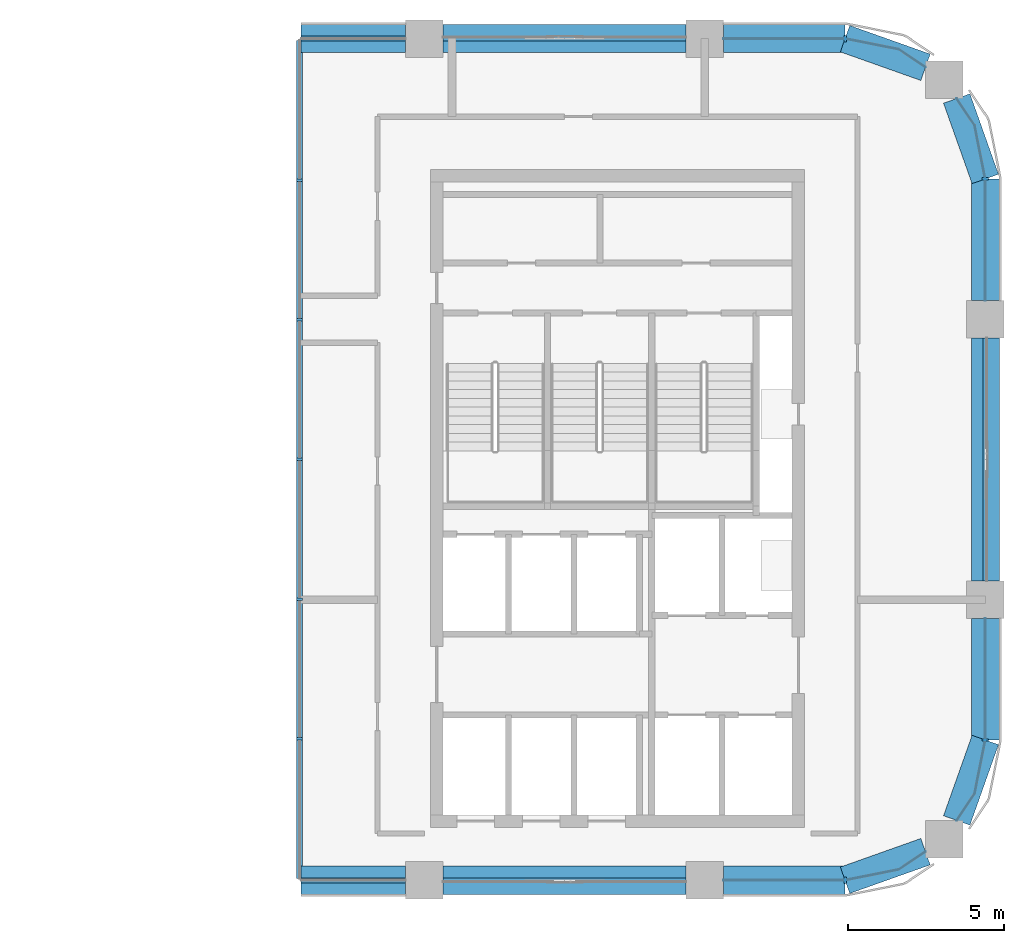
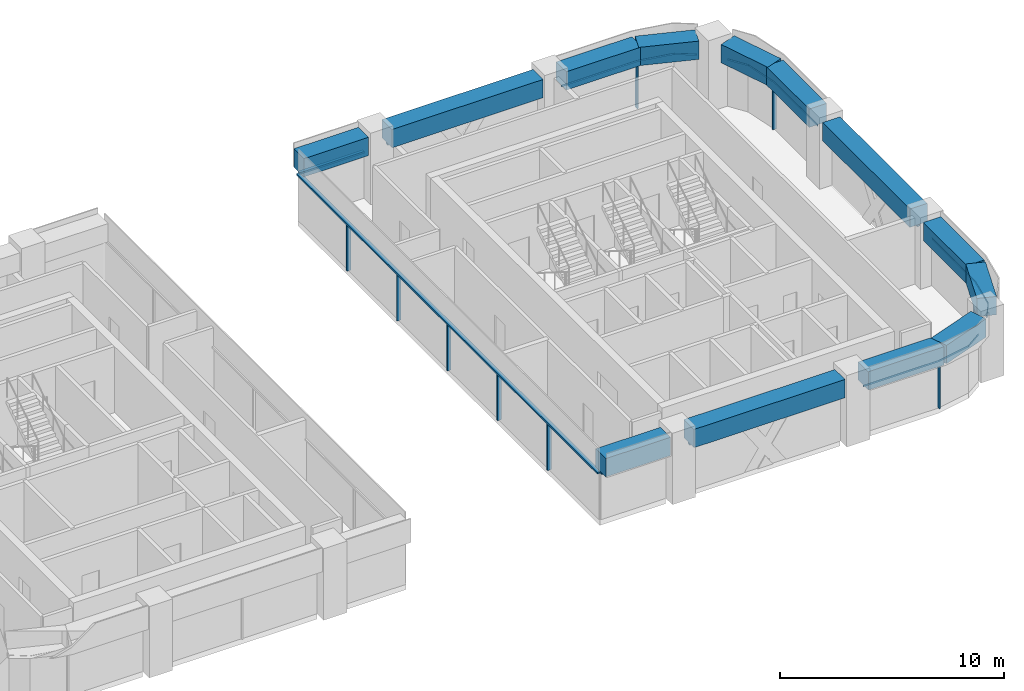
# One storey, part 3 of 16: 19 members, 13 beams, 10 elements without a shape of their own.
"""IFC4 building model written with IfcOpenShell, lengths in metres."""

from ifc_helpers import new_model, si_unit, direction, frame, origin, origin_2d, place, context, subcontext, project, spatial, polyline, rectangle, outline, extrude, material, material_profile, profile_set, type_object, element, aggregate, save


model = new_model("IFC4")

# Units and contexts
model_context = context("Model", 3, precision=1e-05, world=origin(), true_north=direction((0.0, 1.0)))
body_context = subcontext(model_context, "Body", "Model", "MODEL_VIEW")
ifc_project = project(units=[si_unit("LENGTHUNIT", "METRE"), si_unit("AREAUNIT", "SQUARE_METRE"), si_unit("VOLUMEUNIT", "CUBIC_METRE"), si_unit("PLANEANGLEUNIT", "RADIAN"), si_unit("MASSUNIT", "GRAM", prefix="KILO")], contexts=[model_context])

# Site, building, storey
site_placement = place(None, origin())
site = spatial("IfcSite", under=ifc_project, at=site_placement, CompositionType="ELEMENT")
building_placement = place(site_placement, origin())
building = spatial("IfcBuilding", under=site, at=building_placement, Name="Tessera Arch", CompositionType="ELEMENT")
storey_placement = place(building_placement, frame((0.0, 0.0, 218.89990234375)))
storey = spatial("IfcBuildingStorey", under=building, at=storey_placement, Name="L52", CompositionType="ELEMENT", Elevation=218.89990234375)

# Curtain wall, member
ifc_material_1 = material(Name="CW1 curtain wall")
curtain_wall_type_1 = type_object("IfcCurtainWallType", Name="CW1 curtain wall", PredefinedType="NOTDEFINED", material=ifc_material_1)
curtain_wall_1_placement = place(storey_placement, origin())
curtain_wall_1 = element("IfcCurtainWall", 1, at=curtain_wall_1_placement, inside=storey, type_object=curtain_wall_type_1, Name="CW1 curtain wall S27.32/0 L52", PredefinedType="NOTDEFINED")
ifc_material_2 = material(Name="Anodised aluminium pale metal", Category="aluminium")
ifc_material_profile_1 = material_profile(ifc_material_2, rectangle(XDim=0.159912109375, YDim=0.10009765625, at=origin_2d()), Name="AL 160x100")
ifc_profile_set_1 = profile_set([ifc_material_profile_1], Name="Anodised aluminium pale metal")
member_type_1 = type_object("IfcMemberType", Name="CW1 transom", PredefinedType="USERDEFINED", material=ifc_profile_set_1)
member_1_placement = place(storey_placement, frame((32.050048828125, 27.0, 2.550048828125), z_axis=(1.0, 0.0, 0.0), x_axis=(0.0, 1.0, 0.0)))
member_1 = element("IfcMember", 2, at=member_1_placement, type_object=member_type_1, Name="CW1 transom S27.32/0 1.1", ObjectType="TRANSOM", PredefinedType="USERDEFINED", context=body_context, shape_type="SweptSolid", body=[
    extrude(rectangle(XDim=0.159912109375, YDim=0.10009765625, at=origin_2d()), origin(), (0.0, 0.0, 1.0), 3.349853515625),
])
aggregate(curtain_wall_1, [member_1])

curtain_wall_2_placement = place(storey_placement, origin())
curtain_wall_2 = element("IfcCurtainWall", 3, at=curtain_wall_2_placement, inside=storey, type_object=curtain_wall_type_1, Name="CW1 curtain wall N54.32/2 L52", PredefinedType="NOTDEFINED")
member_2_placement = place(storey_placement, frame((35.39990234375, 54.0, 2.550048828125), z_axis=(-1.0, 0.0, 0.0), x_axis=(0.0, -1.0, 0.0)))
member_2 = element("IfcMember", 4, at=member_2_placement, type_object=member_type_1, Name="CW1 transom N54.32/2 1.1", ObjectType="TRANSOM", PredefinedType="USERDEFINED", context=body_context, shape_type="SweptSolid", body=[
    extrude(rectangle(XDim=0.159912109375, YDim=0.10009765625, at=origin_2d()), origin(), (0.0, 0.0, 1.0), 3.349853515625),
])
aggregate(curtain_wall_2, [member_2])

ifc_material_3 = material(Name="CW2 curtain wall")
curtain_wall_type_2 = type_object("IfcCurtainWallType", Name="CW2 curtain wall", PredefinedType="NOTDEFINED", material=ifc_material_3)
curtain_wall_3_placement = place(storey_placement, origin())
curtain_wall_3 = element("IfcCurtainWall", 5, at=curtain_wall_3_placement, inside=storey, type_object=curtain_wall_type_2, Name="CW2 curtain wall S27.32/2 L52", PredefinedType="NOTDEFINED")
ifc_material_4 = material(Name="Anodised aluminium pale metal", Category="aluminium")
ifc_material_profile_2 = material_profile(ifc_material_4, rectangle(XDim=0.199951171875, YDim=0.080078125, at=origin_2d()), Name="AL 80x200")
ifc_profile_set_2 = profile_set([ifc_material_profile_2], Name="Anodised aluminium pale metal")
member_type_2 = type_object("IfcMemberType", Name="CW2 mullion", PredefinedType="MULLION", material=ifc_profile_set_2)
member_3_placement = place(storey_placement, frame((49.5, 27.0, 0.0), z_axis=(0.0, 0.0, 1.0), x_axis=(0.0, 1.0, 0.0)))
member_3 = element("IfcMember", 6, at=member_3_placement, type_object=member_type_2, Name="CW2 mullion S27.32/2 1", PredefinedType="MULLION", context=body_context, shape_type="SweptSolid", body=[
    extrude(rectangle(XDim=0.199951171875, YDim=0.080078125, at=origin_2d()), origin(), (0.0, 0.0, 1.0), 2.5),
])

curtain_wall_4_placement = place(storey_placement, origin())
curtain_wall_4 = element("IfcCurtainWall", 7, at=curtain_wall_4_placement, inside=storey, type_object=curtain_wall_type_2, Name="CW2 curtain wall E54.27/0 L52", PredefinedType="NOTDEFINED")
member_4_placement = place(storey_placement, frame((54.0, 31.5, 0.0), z_axis=(0.0, 0.0, 1.0), x_axis=(-1.0, 0.0, 0.0)))
member_4 = element("IfcMember", 8, at=member_4_placement, type_object=member_type_2, Name="CW2 mullion E54.27/0 1", PredefinedType="MULLION", context=body_context, shape_type="SweptSolid", body=[
    extrude(rectangle(XDim=0.199951171875, YDim=0.080078125, at=origin_2d()), origin(), (0.0, 0.0, 1.0), 2.5),
])

curtain_wall_5_placement = place(storey_placement, origin())
curtain_wall_5 = element("IfcCurtainWall", 9, at=curtain_wall_5_placement, inside=storey, type_object=curtain_wall_type_2, Name="CW2 curtain wall E54.27/2 L52", PredefinedType="NOTDEFINED")
member_5_placement = place(storey_placement, frame((54.0, 49.5, 0.0), z_axis=(0.0, 0.0, 1.0), x_axis=(-1.0, 0.0, 0.0)))
member_5 = element("IfcMember", 10, at=member_5_placement, type_object=member_type_2, Name="CW2 mullion E54.27/2 1", PredefinedType="MULLION", context=body_context, shape_type="SweptSolid", body=[
    extrude(rectangle(XDim=0.199951171875, YDim=0.080078125, at=origin_2d()), origin(), (0.0, 0.0, 1.0), 2.5),
])

curtain_wall_6_placement = place(storey_placement, origin())
curtain_wall_6 = element("IfcCurtainWall", 11, at=curtain_wall_6_placement, inside=storey, type_object=curtain_wall_type_2, Name="CW2 curtain wall N54.32/0 L52", PredefinedType="NOTDEFINED")
member_6_placement = place(storey_placement, frame((49.5, 54.0, 0.0), z_axis=(0.0, 0.0, 1.0), x_axis=(0.0, -1.0, 0.0)))
member_6 = element("IfcMember", 12, at=member_6_placement, type_object=member_type_2, Name="CW2 mullion N54.32/0 1", PredefinedType="MULLION", context=body_context, shape_type="SweptSolid", body=[
    extrude(rectangle(XDim=0.199951171875, YDim=0.080078125, at=origin_2d()), origin(), (0.0, 0.0, 1.0), 2.5),
])

# Member
ifc_material_5 = material(Name="Anodised aluminium pale metal", Category="aluminium")
ifc_material_profile_3 = material_profile(ifc_material_5, rectangle(XDim=0.199951171875, YDim=0.10009765625, at=origin_2d()), Name="AL 200x100")
ifc_profile_set_3 = profile_set([ifc_material_profile_3], Name="Anodised aluminium pale metal")
member_type_3 = type_object("IfcMemberType", Name="CW2 transom", PredefinedType="USERDEFINED", material=ifc_profile_set_3)
member_7_placement = place(storey_placement, frame((0.0, 0.0, 2.5)))
member_7 = element("IfcMember", 13, at=member_7_placement, type_object=member_type_3, Name="CW2 transom S27.32/2 1", ObjectType="TRANSOM", PredefinedType="USERDEFINED", context=body_context, shape_type="SweptSolid", body=[
    extrude(outline(polyline([(49.4990234375, 27.010009765625), (45.60009765625, 27.010009765625), (45.60009765625, 26.989990234375), (49.5009765625, 26.989990234375), (51.22607421875, 27.3330078125), (52.087646484375, 27.90869140625), (52.076416015625, 27.92529296875), (51.21826171875, 27.351806640625), (49.4990234375, 27.010009765625)])), origin(), (0.0, 0.0, 1.0), 0.10009765625),
])

aggregate(curtain_wall_3, [member_3, member_7])

member_8_placement = place(storey_placement, frame((0.0, 0.0, 2.5)))
member_8 = element("IfcMember", 14, at=member_8_placement, type_object=member_type_3, Name="CW2 transom E54.27/0 1", ObjectType="TRANSOM", PredefinedType="USERDEFINED", context=body_context, shape_type="SweptSolid", body=[
    extrude(outline(polyline([(53.648193359375, 29.78173828125), (53.07470703125, 28.923583984375), (53.09130859375, 28.912353515625), (53.6669921875, 29.77392578125), (54.010009765625, 31.4990234375), (54.010009765625, 35.39990234375), (53.989990234375, 35.39990234375), (53.989990234375, 31.5009765625), (53.648193359375, 29.78173828125)])), origin(), (0.0, 0.0, 1.0), 0.10009765625),
])

aggregate(curtain_wall_4, [member_4, member_8])

member_9_placement = place(storey_placement, frame((0.0, 0.0, 2.5)))
member_9 = element("IfcMember", 15, at=member_9_placement, type_object=member_type_3, Name="CW2 transom E54.27/2 1", ObjectType="TRANSOM", PredefinedType="USERDEFINED", context=body_context, shape_type="SweptSolid", body=[
    extrude(outline(polyline([(53.989990234375, 49.4990234375), (53.989990234375, 45.60009765625), (54.010009765625, 45.60009765625), (54.010009765625, 49.5009765625), (53.6669921875, 51.22607421875), (53.09130859375, 52.087646484375), (53.07470703125, 52.076416015625), (53.648193359375, 51.21826171875), (53.989990234375, 49.4990234375)])), origin(), (0.0, 0.0, 1.0), 0.10009765625),
])

aggregate(curtain_wall_5, [member_5, member_9])

member_10_placement = place(storey_placement, frame((0.0, 0.0, 2.5)))
member_10 = element("IfcMember", 16, at=member_10_placement, type_object=member_type_3, Name="CW2 transom N54.32/0 1", ObjectType="TRANSOM", PredefinedType="USERDEFINED", context=body_context, shape_type="SweptSolid", body=[
    extrude(outline(polyline([(51.21826171875, 53.648193359375), (52.076416015625, 53.07470703125), (52.087646484375, 53.09130859375), (51.22607421875, 53.6669921875), (49.5009765625, 54.010009765625), (45.60009765625, 54.010009765625), (45.60009765625, 53.989990234375), (49.4990234375, 53.989990234375), (51.21826171875, 53.648193359375)])), origin(), (0.0, 0.0, 1.0), 0.10009765625),
])

aggregate(curtain_wall_6, [member_6, member_10])

# Curtain wall, member
ifc_material_6 = material(Name="CW3 curtain wall")
curtain_wall_type_3 = type_object("IfcCurtainWallType", Name="CW3 curtain wall", PredefinedType="NOTDEFINED", material=ifc_material_6)
curtain_wall_7_placement = place(storey_placement, origin())
curtain_wall_7 = element("IfcCurtainWall", 17, at=curtain_wall_7_placement, inside=storey, type_object=curtain_wall_type_3, Name="CW3 curtain wall S27.32/1 L52", PredefinedType="NOTDEFINED")
ifc_material_7 = material(Name="Anodised aluminium pale metal", Category="aluminium")
ifc_material_profile_4 = material_profile(ifc_material_7, rectangle(XDim=0.139892578125, YDim=0.10009765625, at=origin_2d()), Name="AL 140x100")
ifc_profile_set_4 = profile_set([ifc_material_profile_4], Name="Anodised aluminium pale metal")
member_type_4 = type_object("IfcMemberType", Name="CW3 transom", PredefinedType="USERDEFINED", material=ifc_profile_set_4)
member_11_placement = place(storey_placement, frame((36.60009765625, 27.0, 2.550048828125), z_axis=(1.0, 0.0, 0.0), x_axis=(0.0, 1.0, 0.0)))
member_11 = element("IfcMember", 18, at=member_11_placement, type_object=member_type_4, Name="CW3 transom S27.32/1 1.1", ObjectType="TRANSOM", PredefinedType="USERDEFINED", context=body_context, shape_type="SweptSolid", body=[
    extrude(rectangle(XDim=0.139892578125, YDim=0.10009765625, at=origin_2d()), origin(), (0.0, 0.0, 1.0), 7.7998046875),
])
aggregate(curtain_wall_7, [member_11])

curtain_wall_8_placement = place(storey_placement, origin())
curtain_wall_8 = element("IfcCurtainWall", 19, at=curtain_wall_8_placement, inside=storey, type_object=curtain_wall_type_3, Name="CW3 curtain wall E54.27/1 L52", PredefinedType="NOTDEFINED")
member_12_placement = place(storey_placement, frame((54.0, 36.60009765625, 2.550048828125), z_axis=(0.0, 1.0, 0.0), x_axis=(-1.0, 0.0, 0.0)))
member_12 = element("IfcMember", 20, at=member_12_placement, type_object=member_type_4, Name="CW3 transom E54.27/1 1.1", ObjectType="TRANSOM", PredefinedType="USERDEFINED", context=body_context, shape_type="SweptSolid", body=[
    extrude(rectangle(XDim=0.139892578125, YDim=0.10009765625, at=origin_2d()), origin(), (0.0, 0.0, 1.0), 7.7998046875),
])
aggregate(curtain_wall_8, [member_12])

curtain_wall_9_placement = place(storey_placement, origin())
curtain_wall_9 = element("IfcCurtainWall", 21, at=curtain_wall_9_placement, inside=storey, type_object=curtain_wall_type_3, Name="CW3 curtain wall N54.32/1 L52", PredefinedType="NOTDEFINED")
member_13_placement = place(storey_placement, frame((44.39990234375, 54.0, 2.550048828125), z_axis=(-1.0, 0.0, 0.0), x_axis=(0.0, -1.0, 0.0)))
member_13 = element("IfcMember", 22, at=member_13_placement, type_object=member_type_4, Name="CW3 transom N54.32/1 1.1", ObjectType="TRANSOM", PredefinedType="USERDEFINED", context=body_context, shape_type="SweptSolid", body=[
    extrude(rectangle(XDim=0.139892578125, YDim=0.10009765625, at=origin_2d()), origin(), (0.0, 0.0, 1.0), 7.7998046875),
])
aggregate(curtain_wall_9, [member_13])

# Curtain wall, members
ifc_material_8 = material(Name="CW5 curtain wall")
curtain_wall_type_4 = type_object("IfcCurtainWallType", Name="CW5 curtain wall", PredefinedType="NOTDEFINED", material=ifc_material_8)
curtain_wall_10_placement = place(storey_placement, origin())
curtain_wall_10 = element("IfcCurtainWall", 23, at=curtain_wall_10_placement, inside=storey, type_object=curtain_wall_type_4, Name="CW5 curtain wall W32.27/0 L52", PredefinedType="NOTDEFINED")
ifc_material_9 = material(Name="Anodised aluminium pale metal", Category="aluminium")
ifc_material_profile_5 = material_profile(ifc_material_9, rectangle(XDim=0.199951171875, YDim=0.080078125, at=origin_2d()), Name="AL 80x200")
ifc_profile_set_5 = profile_set([ifc_material_profile_5], Name="Anodised aluminium pale metal")
member_type_5 = type_object("IfcMemberType", Name="CW5 mullion", PredefinedType="MULLION", material=ifc_profile_set_5)
member_14_placement = place(storey_placement, frame((32.0, 49.466552734375, 0.0), z_axis=(0.0, 0.0, 1.0), x_axis=(1.0, 0.0, 0.0)))
member_14 = element("IfcMember", 24, at=member_14_placement, type_object=member_type_5, Name="CW5 mullion W32.27/0 1", PredefinedType="MULLION", context=body_context, shape_type="SweptSolid", body=[
    extrude(rectangle(XDim=0.199951171875, YDim=0.080078125, at=origin_2d()), origin(), (0.0, 0.0, 1.0), 2.5),
])
member_15_placement = place(storey_placement, frame((32.0, 44.9833984375, 0.0), z_axis=(0.0, 0.0, 1.0), x_axis=(1.0, 0.0, 0.0)))
member_15 = element("IfcMember", 25, at=member_15_placement, type_object=member_type_5, Name="CW5 mullion W32.27/0 2", PredefinedType="MULLION", context=body_context, shape_type="SweptSolid", body=[
    extrude(rectangle(XDim=0.199951171875, YDim=0.080078125, at=origin_2d()), origin(), (0.0, 0.0, 1.0), 2.5),
])
member_16_placement = place(storey_placement, frame((32.0, 40.5, 0.0), z_axis=(0.0, 0.0, 1.0), x_axis=(1.0, 0.0, 0.0)))
member_16 = element("IfcMember", 26, at=member_16_placement, type_object=member_type_5, Name="CW5 mullion W32.27/0 3", PredefinedType="MULLION", context=body_context, shape_type="SweptSolid", body=[
    extrude(rectangle(XDim=0.199951171875, YDim=0.080078125, at=origin_2d()), origin(), (0.0, 0.0, 1.0), 2.5),
])
member_17_placement = place(storey_placement, frame((32.0, 36.0166015625, 0.0), z_axis=(0.0, 0.0, 1.0), x_axis=(1.0, 0.0, 0.0)))
member_17 = element("IfcMember", 27, at=member_17_placement, type_object=member_type_5, Name="CW5 mullion W32.27/0 4", PredefinedType="MULLION", context=body_context, shape_type="SweptSolid", body=[
    extrude(rectangle(XDim=0.199951171875, YDim=0.080078125, at=origin_2d()), origin(), (0.0, 0.0, 1.0), 2.5),
])
member_18_placement = place(storey_placement, frame((32.0, 31.533447265625, 0.0), z_axis=(0.0, 0.0, 1.0), x_axis=(1.0, 0.0, 0.0)))
member_18 = element("IfcMember", 28, at=member_18_placement, type_object=member_type_5, Name="CW5 mullion W32.27/0 5", PredefinedType="MULLION", context=body_context, shape_type="SweptSolid", body=[
    extrude(rectangle(XDim=0.199951171875, YDim=0.080078125, at=origin_2d()), origin(), (0.0, 0.0, 1.0), 2.5),
])
ifc_material_10 = material(Name="Anodised aluminium pale metal", Category="aluminium")
ifc_material_profile_6 = material_profile(ifc_material_10, rectangle(XDim=0.199951171875, YDim=0.10009765625, at=origin_2d()), Name="AL 200x100")
ifc_profile_set_6 = profile_set([ifc_material_profile_6], Name="Anodised aluminium pale metal")
member_type_6 = type_object("IfcMemberType", Name="CW5 transom", PredefinedType="USERDEFINED", material=ifc_profile_set_6)
member_19_placement = place(storey_placement, frame((32.0, 53.949951171875, 2.550048828125), z_axis=(0.0, -1.0, 0.0), x_axis=(1.0, 0.0, 0.0)))
member_19 = element("IfcMember", 29, at=member_19_placement, type_object=member_type_6, Name="CW5 transom W32.27/0 1.1", ObjectType="TRANSOM", PredefinedType="USERDEFINED", context=body_context, shape_type="SweptSolid", body=[
    extrude(rectangle(XDim=0.199951171875, YDim=0.10009765625, at=origin_2d()), origin(), (0.0, 0.0, 1.0), 26.89990234375),
])
aggregate(curtain_wall_10, [member_14, member_15, member_16, member_17, member_18, member_19])

# Beams
ifc_material_11 = material(Name="Concrete C60/75", Category="concrete")
ifc_material_profile_7 = material_profile(ifc_material_11, rectangle(XDim=0.89990234375, YDim=1.0, at=origin_2d()), Name="RC spandrel beam 900 x 1000 Concrete C60/75")
ifc_profile_set_7 = profile_set([ifc_material_profile_7], Name="Concrete C60/75")
beam_type = type_object("IfcBeamType", Name="RC spandrel beam 900 x 1000 Concrete C60/75", PredefinedType="BEAM", material=ifc_profile_set_7)
beam_1_placement = place(storey_placement, frame((32.050048828125, 27.0, 3.10009765625), z_axis=(1.0, 0.0, 0.0), x_axis=(0.0, 1.0, 0.0)))
element("IfcBeam", 30, at=beam_1_placement, inside=storey, type_object=beam_type, Name="Spandrel beam L52 S27.32/0", PredefinedType="BEAM", context=body_context, shape_type="SweptSolid", body=[
    extrude(rectangle(XDim=0.89990234375, YDim=1.0, at=origin_2d()), origin(), (0.0, 0.0, 1.0), 3.349853515625),
])
beam_2_placement = place(storey_placement, frame((36.60009765625, 27.0, 3.10009765625), z_axis=(1.0, 0.0, 0.0), x_axis=(0.0, 1.0, 0.0)))
element("IfcBeam", 31, at=beam_2_placement, inside=storey, type_object=beam_type, Name="Spandrel beam L52 S27.32/1", PredefinedType="BEAM", context=body_context, shape_type="SweptSolid", body=[
    extrude(rectangle(XDim=0.89990234375, YDim=1.0, at=origin_2d()), origin(), (0.0, 0.0, 1.0), 7.7998046875),
])
beam_3_placement = place(storey_placement, frame((45.60009765625, 27.0, 3.10009765625), z_axis=(1.0, 0.0, 0.0), x_axis=(0.0, 1.0, 0.0)))
element("IfcBeam", 32, at=beam_3_placement, inside=storey, type_object=beam_type, Name="Spandrel beam L52 S27.32/2.1", PredefinedType="BEAM", context=body_context, shape_type="SweptSolid", body=[
    extrude(rectangle(XDim=0.89990234375, YDim=1.0, at=origin_2d()), origin(), (0.0, 0.0, 1.0), 3.89990234375),
])
for number, where, z_axis, x_axis, name in (
    (33, (49.5, 27.0, 3.10009765625), (0.942337127159, 0.334665114373, 0.0), (-0.334665114373, 0.942337127159, 0.0), "Spandrel beam L52 S27.32/2.2"),
    (34, (53.0830078125, 28.91796875, 3.10009765625), (0.334665114373, 0.942337127159, 0.0), (-0.942337127159, 0.334665114373, 0.0), "Spandrel beam L52 E54.27/0.1"),
):
    element("IfcBeam", number, at=place(storey_placement, frame(where, z_axis=z_axis, x_axis=x_axis)), inside=storey, type_object=beam_type, Name=name, PredefinedType="BEAM", context=body_context, shape_type="SweptSolid", body=[
        extrude(rectangle(XDim=0.89990234375, YDim=1.0, at=origin_2d()), origin(), (0.0, 0.0, 1.0), 2.739990234375),
    ])
beam_4_placement = place(storey_placement, frame((54.0, 31.5, 3.10009765625), z_axis=(0.0, 1.0, 0.0), x_axis=(-1.0, 0.0, 0.0)))
element("IfcBeam", 35, at=beam_4_placement, inside=storey, type_object=beam_type, Name="Spandrel beam L52 E54.27/0.2", PredefinedType="BEAM", context=body_context, shape_type="SweptSolid", body=[
    extrude(rectangle(XDim=0.89990234375, YDim=1.0, at=origin_2d()), origin(), (0.0, 0.0, 1.0), 3.89990234375),
])
beam_5_placement = place(storey_placement, frame((54.0, 36.60009765625, 3.10009765625), z_axis=(0.0, 1.0, 0.0), x_axis=(-1.0, 0.0, 0.0)))
element("IfcBeam", 36, at=beam_5_placement, inside=storey, type_object=beam_type, Name="Spandrel beam L52 E54.27/1", PredefinedType="BEAM", context=body_context, shape_type="SweptSolid", body=[
    extrude(rectangle(XDim=0.89990234375, YDim=1.0, at=origin_2d()), origin(), (0.0, 0.0, 1.0), 7.7998046875),
])
beam_6_placement = place(storey_placement, frame((54.0, 45.60009765625, 3.10009765625), z_axis=(0.0, 1.0, 0.0), x_axis=(-1.0, 0.0, 0.0)))
element("IfcBeam", 37, at=beam_6_placement, inside=storey, type_object=beam_type, Name="Spandrel beam L52 E54.27/2.1", PredefinedType="BEAM", context=body_context, shape_type="SweptSolid", body=[
    extrude(rectangle(XDim=0.89990234375, YDim=1.0, at=origin_2d()), origin(), (0.0, 0.0, 1.0), 3.89990234375),
])
for number, where, z_axis, x_axis, name in (
    (38, (54.0, 49.5, 3.10009765625), (-0.334665114373, 0.942337127159, 0.0), (-0.942337127159, -0.334665114373, 0.0), "Spandrel beam L52 E54.27/2.2"),
    (39, (52.08203125, 53.0830078125, 3.10009765625), (-0.942337127159, 0.334665114373, 0.0), (-0.334665114373, -0.942337127159, 0.0), "Spandrel beam L52 N54.32/0.1"),
):
    element("IfcBeam", number, at=place(storey_placement, frame(where, z_axis=z_axis, x_axis=x_axis)), inside=storey, type_object=beam_type, Name=name, PredefinedType="BEAM", context=body_context, shape_type="SweptSolid", body=[
        extrude(rectangle(XDim=0.89990234375, YDim=1.0, at=origin_2d()), origin(), (0.0, 0.0, 1.0), 2.739990234375),
    ])
beam_7_placement = place(storey_placement, frame((49.5, 54.0, 3.10009765625), z_axis=(-1.0, 0.0, 0.0), x_axis=(0.0, -1.0, 0.0)))
element("IfcBeam", 40, at=beam_7_placement, inside=storey, type_object=beam_type, Name="Spandrel beam L52 N54.32/0.2", PredefinedType="BEAM", context=body_context, shape_type="SweptSolid", body=[
    extrude(rectangle(XDim=0.89990234375, YDim=1.0, at=origin_2d()), origin(), (0.0, 0.0, 1.0), 3.89990234375),
])
beam_8_placement = place(storey_placement, frame((44.39990234375, 54.0, 3.10009765625), z_axis=(-1.0, 0.0, 0.0), x_axis=(0.0, -1.0, 0.0)))
element("IfcBeam", 41, at=beam_8_placement, inside=storey, type_object=beam_type, Name="Spandrel beam L52 N54.32/1", PredefinedType="BEAM", context=body_context, shape_type="SweptSolid", body=[
    extrude(rectangle(XDim=0.89990234375, YDim=1.0, at=origin_2d()), origin(), (0.0, 0.0, 1.0), 7.7998046875),
])
beam_9_placement = place(storey_placement, frame((35.39990234375, 54.0, 3.10009765625), z_axis=(-1.0, 0.0, 0.0), x_axis=(0.0, -1.0, 0.0)))
element("IfcBeam", 42, at=beam_9_placement, inside=storey, type_object=beam_type, Name="Spandrel beam L52 N54.32/2", PredefinedType="BEAM", context=body_context, shape_type="SweptSolid", body=[
    extrude(rectangle(XDim=0.89990234375, YDim=1.0, at=origin_2d()), origin(), (0.0, 0.0, 1.0), 3.349853515625),
])

save(model, "model.ifc")
